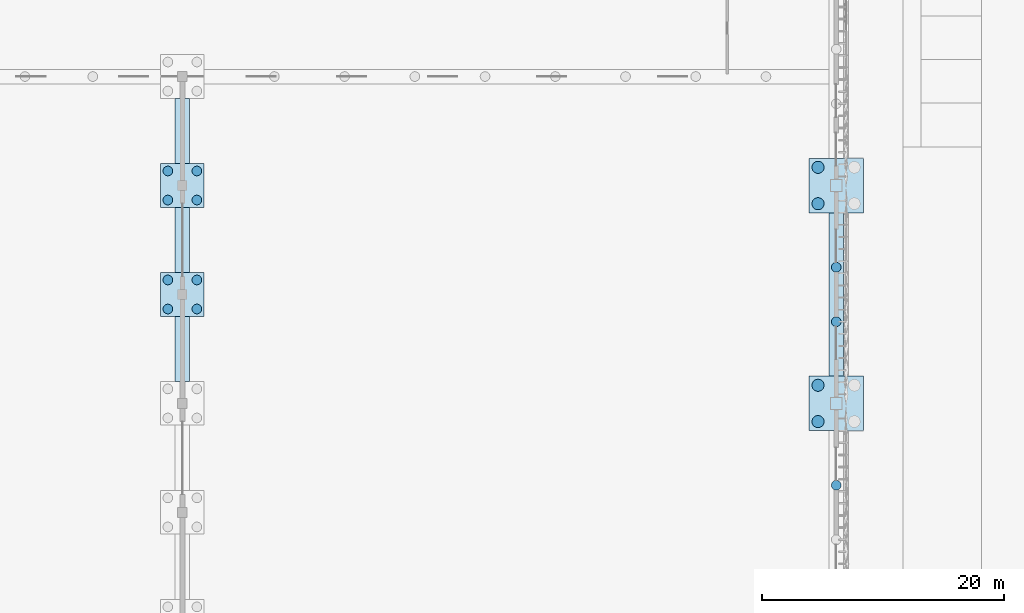
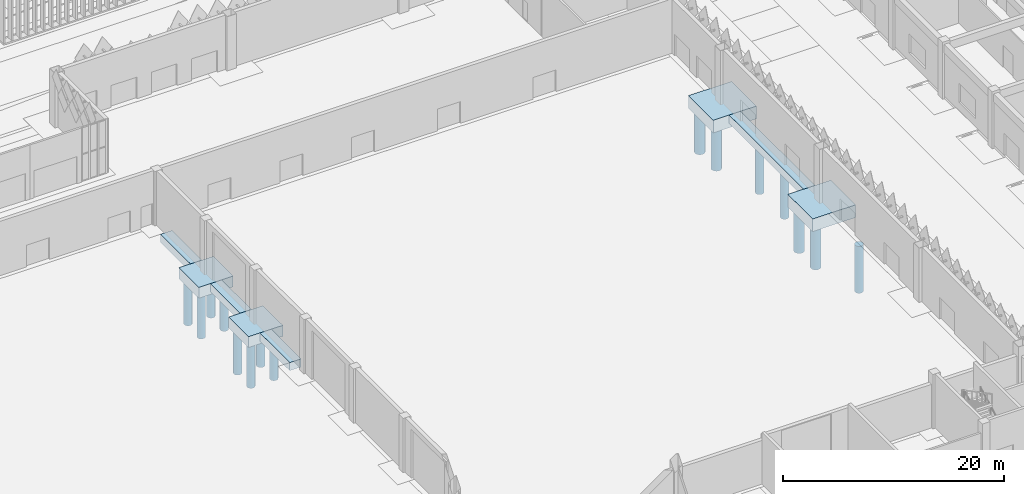
# One storey, part 8 of 198: 15 piles, 8 footings.
"""IFC4 building model written with IfcOpenShell, lengths in metres."""

from ifc_helpers import new_model, si_unit, direction, frame, origin, origin_2d, place, context, subcontext, project, spatial, polyline, circle, outline, extrude, material, layer, layer_set, material_profile, profile_set, type_object, element, save


model = new_model("IFC4")

# Units and contexts
model_context = context("Model", 3, precision=1e-05, world=origin(), true_north=direction((0.0, 1.0)))
body_context = subcontext(model_context, "Body", "Model", "MODEL_VIEW")
ifc_project = project(units=[si_unit("LENGTHUNIT", "METRE"), si_unit("AREAUNIT", "SQUARE_METRE"), si_unit("VOLUMEUNIT", "CUBIC_METRE"), si_unit("PLANEANGLEUNIT", "RADIAN"), si_unit("MASSUNIT", "GRAM", prefix="KILO")], contexts=[model_context])

# Site, building, storey
site_placement = place(None, origin())
site = spatial("IfcSite", under=ifc_project, at=site_placement, CompositionType="ELEMENT")
building_placement = place(site_placement, origin())
building = spatial("IfcBuilding", under=site, at=building_placement, Name="Opaline Strait Convention Centre", CompositionType="ELEMENT")
storey_placement = place(building_placement, origin())
storey = spatial("IfcBuildingStorey", under=building, at=storey_placement, Name="L00", CompositionType="ELEMENT", Elevation=0.0)

# Piles
ifc_material_1 = material(Name="Concrete C35", Category="concrete")
ifc_material_profile_1 = material_profile(ifc_material_1, circle(Radius=0.5, at=origin_2d()), Name="D1000")
ifc_profile_set_1 = profile_set([ifc_material_profile_1], Name="Concrete C35")
pile_type_1 = type_object("IfcPileType", Name="Bored pile D1000 C35", PredefinedType="BORED", material=ifc_profile_set_1)
for number, where, z_axis, x_axis, name in (
    (1, (259.5, 106.5, -1.300048828125), (0.0, 0.0, -1.0), (1.0, 0.0, 0.0), "Bored pile of cap 261/108"),
    (2, (259.5, 109.5, -1.300048828125), (0.0, 0.0, -1.0), (1.0, 0.0, 0.0), "Bored pile of cap 261/108"),
    (3, (259.5, 124.5, -1.300048828125), (0.0, 0.0, -1.0), (1.0, 0.0, 0.0), "Bored pile of cap 261/126"),
    (4, (259.5, 127.5, -1.300048828125), (0.0, 0.0, -1.0), (1.0, 0.0, 0.0), "Bored pile of cap 261/126"),
):
    element("IfcPile", number, at=place(storey_placement, frame(where, z_axis=z_axis, x_axis=x_axis)), inside=storey, type_object=pile_type_1, Name=name, PredefinedType="BORED", context=body_context, shape_type="SweptSolid", body=[
        extrude(circle(Radius=0.5, at=origin_2d()), origin(), (0.0, 0.0, 1.0), 4.699951171875),
    ])
ifc_material_profile_2 = material_profile(ifc_material_1, circle(Radius=0.39990234375, at=origin_2d()), Name="D800")
ifc_profile_set_2 = profile_set([ifc_material_profile_2], Name="Concrete C35")
pile_type_2 = type_object("IfcPileType", Name="Bored pile D800 C35", PredefinedType="BORED", material=ifc_profile_set_2)
for number, where, z_axis, x_axis, name in (
    (5, (205.800048828125, 115.800048828125, -1.10009765625), (0.0, 0.0, -1.0), (1.0, 0.0, 0.0), "Bored pile of cap 207/117"),
    (6, (205.800048828125, 118.199951171875, -1.10009765625), (0.0, 0.0, -1.0), (1.0, 0.0, 0.0), "Bored pile of cap 207/117"),
    (7, (208.199951171875, 115.800048828125, -1.10009765625), (0.0, 0.0, -1.0), (1.0, 0.0, 0.0), "Bored pile of cap 207/117"),
    (8, (208.199951171875, 118.199951171875, -1.10009765625), (0.0, 0.0, -1.0), (1.0, 0.0, 0.0), "Bored pile of cap 207/117"),
    (9, (205.800048828125, 124.800048828125, -1.10009765625), (0.0, 0.0, -1.0), (1.0, 0.0, 0.0), "Bored pile of cap 207/126"),
    (10, (205.800048828125, 127.199951171875, -1.10009765625), (0.0, 0.0, -1.0), (1.0, 0.0, 0.0), "Bored pile of cap 207/126"),
    (11, (208.199951171875, 124.800048828125, -1.10009765625), (0.0, 0.0, -1.0), (1.0, 0.0, 0.0), "Bored pile of cap 207/126"),
    (12, (208.199951171875, 127.199951171875, -1.10009765625), (0.0, 0.0, -1.0), (1.0, 0.0, 0.0), "Bored pile of cap 207/126"),
):
    element("IfcPile", number, at=place(storey_placement, frame(where, z_axis=z_axis, x_axis=x_axis)), inside=storey, type_object=pile_type_2, Name=name, PredefinedType="BORED", context=body_context, shape_type="SweptSolid", body=[
        extrude(circle(Radius=0.39990234375, at=origin_2d()), origin(), (0.0, 0.0, 1.0), 4.89990234375),
    ])
for number, where, z_axis, x_axis, name in (
    (13, (261.0, 101.25, -0.800048828125), (0.0, 0.0, -1.0), (1.0, 0.0, 0.0), "Bored pile under pile cap beam 35"),
    (14, (261.0, 114.75, -0.800048828125), (0.0, 0.0, -1.0), (1.0, 0.0, 0.0), "Bored pile under pile cap beam 36"),
    (15, (261.0, 119.25, -0.800048828125), (0.0, 0.0, -1.0), (1.0, 0.0, 0.0), "Bored pile under pile cap beam 36"),
):
    element("IfcPile", number, at=place(storey_placement, frame(where, z_axis=z_axis, x_axis=x_axis)), inside=storey, type_object=pile_type_2, Name=name, PredefinedType="BORED", context=body_context, shape_type="SweptSolid", body=[
        extrude(circle(Radius=0.39990234375, at=origin_2d()), origin(), (0.0, 0.0, 1.0), 5.199951171875),
    ])

# Footings
footing_type_1 = type_object("IfcFootingType", Name="Ground beam 1200 x 900 C35", PredefinedType="FOOTING_BEAM", material=ifc_material_1)
footing_1_placement = place(storey_placement, frame((0.0, 0.0, -0.89990234375)))
element("IfcFooting", 16, at=footing_1_placement, inside=storey, type_object=footing_type_1, Name="Ground beam 50 on the x = 207 line", PredefinedType="FOOTING_BEAM", context=body_context, shape_type="SweptSolid", body=[
    extrude(outline(polyline([(206.39990234375, 109.800048828125), (207.60009765625, 109.800048828125), (207.60009765625, 115.199951171875), (206.39990234375, 115.199951171875), (206.39990234375, 109.800048828125)])), origin(), (0.0, 0.0, 1.0), 0.89990234375),
])
footing_2_placement = place(storey_placement, frame((0.0, 0.0, -0.89990234375)))
element("IfcFooting", 17, at=footing_2_placement, inside=storey, type_object=footing_type_1, Name="Ground beam 51 on the x = 207 line", PredefinedType="FOOTING_BEAM", context=body_context, shape_type="SweptSolid", body=[
    extrude(outline(polyline([(206.39990234375, 118.800048828125), (207.60009765625, 118.800048828125), (207.60009765625, 124.199951171875), (206.39990234375, 124.199951171875), (206.39990234375, 118.800048828125)])), origin(), (0.0, 0.0, 1.0), 0.89990234375),
])
footing_3_placement = place(storey_placement, frame((0.0, 0.0, -0.89990234375)))
element("IfcFooting", 18, at=footing_3_placement, inside=storey, type_object=footing_type_1, Name="Ground beam 52 on the x = 207 line", PredefinedType="FOOTING_BEAM", context=body_context, shape_type="SweptSolid", body=[
    extrude(outline(polyline([(206.39990234375, 127.800048828125), (207.60009765625, 127.800048828125), (207.60009765625, 133.199951171875), (206.39990234375, 133.199951171875), (206.39990234375, 127.800048828125)])), origin(), (0.0, 0.0, 1.0), 0.89990234375),
])
ifc_material_2 = material(Name="Concrete C40", Category="concrete")
ifc_layer_1 = layer(ifc_material_2, 1.199951171875)
ifc_layer_set_1 = layer_set([ifc_layer_1], Name="Concrete C40")
footing_type_2 = type_object("IfcFootingType", Name="Pile cap 3600 x 3600 x 1200 C40", PredefinedType="PILE_CAP", material=ifc_layer_set_1)
footing_4_placement = place(storey_placement, frame((0.0, 0.0, -1.199951171875)))
element("IfcFooting", 19, at=footing_4_placement, inside=storey, type_object=footing_type_2, Name="Column pile cap at 207/117", PredefinedType="PILE_CAP", context=body_context, shape_type="SweptSolid", body=[
    extrude(outline(polyline([(205.199951171875, 115.199951171875), (208.800048828125, 115.199951171875), (208.800048828125, 118.800048828125), (205.199951171875, 118.800048828125), (205.199951171875, 115.199951171875)])), origin(), (0.0, 0.0, 1.0), 1.199951171875),
])
footing_5_placement = place(storey_placement, frame((0.0, 0.0, -1.199951171875)))
element("IfcFooting", 20, at=footing_5_placement, inside=storey, type_object=footing_type_2, Name="Column pile cap at 207/126", PredefinedType="PILE_CAP", context=body_context, shape_type="SweptSolid", body=[
    extrude(outline(polyline([(205.199951171875, 124.199951171875), (208.800048828125, 124.199951171875), (208.800048828125, 127.800048828125), (205.199951171875, 127.800048828125), (205.199951171875, 124.199951171875)])), origin(), (0.0, 0.0, 1.0), 1.199951171875),
])
ifc_layer_2 = layer(ifc_material_2, 1.39990234375)
ifc_layer_set_2 = layer_set([ifc_layer_2], Name="Concrete C40")
footing_type_3 = type_object("IfcFootingType", Name="Pile cap 4500 x 4500 x 1400 C40", PredefinedType="PILE_CAP", material=ifc_layer_set_2)
footing_6_placement = place(storey_placement, frame((0.0, 0.0, -1.39990234375)))
element("IfcFooting", 21, at=footing_6_placement, inside=storey, type_object=footing_type_3, Name="Roof column pile cap at 261/108", PredefinedType="PILE_CAP", context=body_context, shape_type="SweptSolid", body=[
    extrude(outline(polyline([(258.75, 105.75), (263.25, 105.75), (263.25, 110.25), (258.75, 110.25), (258.75, 105.75)])), origin(), (0.0, 0.0, 1.0), 1.39990234375),
])
footing_7_placement = place(storey_placement, frame((0.0, 0.0, -1.39990234375)))
element("IfcFooting", 22, at=footing_7_placement, inside=storey, type_object=footing_type_3, Name="Roof column pile cap at 261/126", PredefinedType="PILE_CAP", context=body_context, shape_type="SweptSolid", body=[
    extrude(outline(polyline([(258.75, 123.75), (263.25, 123.75), (263.25, 128.25), (258.75, 128.25), (258.75, 123.75)])), origin(), (0.0, 0.0, 1.0), 1.39990234375),
])
footing_type_4 = type_object("IfcFootingType", Name="Pile cap beam 1200 x 900 C40", PredefinedType="PILE_CAP", material=ifc_material_2)
footing_8_placement = place(storey_placement, frame((0.0, 0.0, -0.89990234375)))
element("IfcFooting", 23, at=footing_8_placement, inside=storey, type_object=footing_type_4, Name="Pile cap beam 36 on the x = 261 line", PredefinedType="PILE_CAP", context=body_context, shape_type="SweptSolid", body=[
    extrude(outline(polyline([(260.39990234375, 110.25), (261.60009765625, 110.25), (261.60009765625, 123.75), (260.39990234375, 123.75), (260.39990234375, 110.25)])), origin(), (0.0, 0.0, 1.0), 0.89990234375),
])

save(model, "model.ifc")
